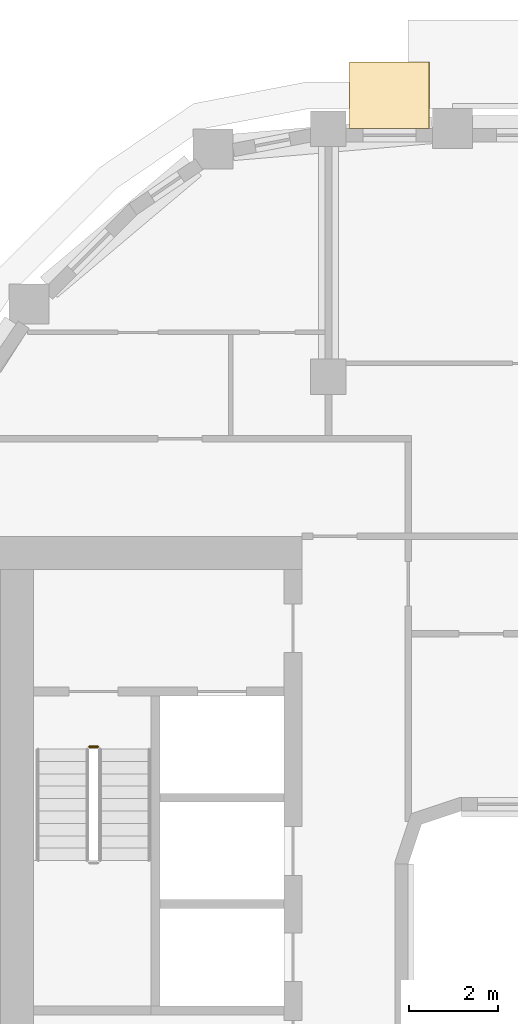
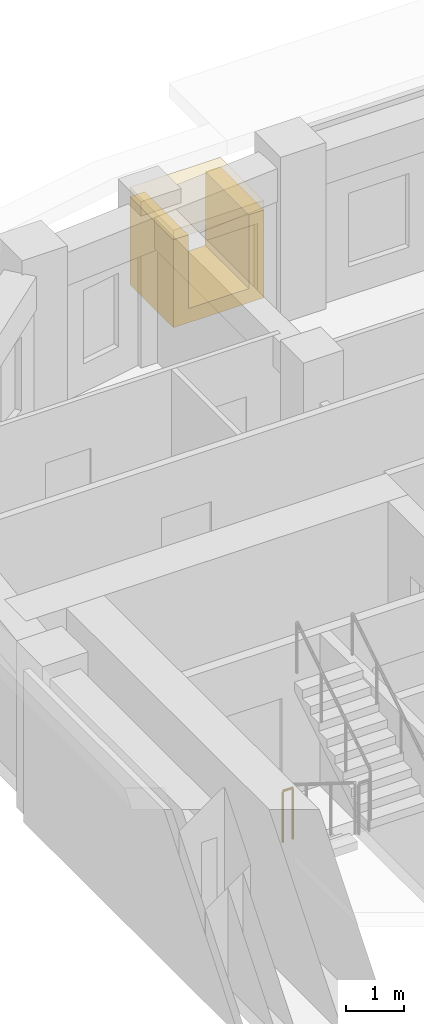
# One storey, part 19 of 21: 2 coverings, 1 railing.
"""IFC4 building model written with IfcOpenShell, lengths in metres."""

import ifcopenshell
import ifcopenshell.guid

model = None  # the IFC model being written
_history = None  # IfcOwnerHistory: only IFC2X3 demands one
_inside = {}  # id of a spatial element -> (the spatial element, [elements in it])
_under = {}  # id of a project, library or spatial element -> (it, [spatial elements below it])
_declared = {}  # id of a project -> (the project, [libraries it declares])
_typed = {}  # id of a type object -> (the type object, [elements of that type])
_made_of = {}  # id of a material, layer set ... -> (it, [elements and type objects made of it])


def new_model(schema):
    """Start an empty IFC model of exactly this schema.

    Asked for "IFC4X3", IfcOpenShell would pick the latest addendum, in which some entities
    have other attributes; the version numbers below select the first issue.
    IFC2X3 requires an IfcOwnerHistory on every rooted entity: one is made here for all.
    """
    global model, _history
    if schema == "IFC4X3":
        model = ifcopenshell.file(schema_version=(4, 3, 0, 0))
    else:
        model = ifcopenshell.file(schema=schema)
    _inside.clear()
    _under.clear()
    _declared.clear()
    _typed.clear()
    _made_of.clear()
    _history = None
    if model.schema == "IFC2X3":
        org = make("IfcOrganization", Name="unknown")
        user = make(
            "IfcPersonAndOrganization",
            ThePerson=make("IfcPerson", FamilyName="unknown"),
            TheOrganization=org,
        )
        app = make(
            "IfcApplication",
            ApplicationDeveloper=org,
            Version="unknown",
            ApplicationFullName="unknown",
            ApplicationIdentifier="unknown",
        )
        _history = make(
            "IfcOwnerHistory",
            OwningUser=user,
            OwningApplication=app,
            ChangeAction="ADDED",
            CreationDate=0,
        )
    return model


def make(cls, **values):
    """One entity of the class cls with the attributes given. An attribute that is None is left unset."""
    return model.create_entity(
        cls, **{name: value for name, value in values.items() if value is not None}
    )


def rooted(cls, **values):
    """An entity with a GlobalId (a new one), such as an element, a storey or a relation."""
    return make(cls, GlobalId=ifcopenshell.guid.new(), OwnerHistory=_history, **values)


def si_unit(unit_type, name, prefix=None):
    """IfcSIUnit, for example si_unit("LENGTHUNIT", "METRE", prefix="MILLI")."""
    return make("IfcSIUnit", UnitType=unit_type, Prefix=prefix, Name=name)


def assignment(units):
    """IfcUnitAssignment: the units of a project."""
    return None if units is None else make("IfcUnitAssignment", Units=units)


def point(xyz):
    """IfcCartesianPoint."""
    return None if xyz is None else make("IfcCartesianPoint", Coordinates=xyz)


def direction(xyz):
    """IfcDirection."""
    return None if xyz is None else make("IfcDirection", DirectionRatios=xyz)


def frame(location, z_axis=None, x_axis=None):
    """IfcAxis2Placement3D, a coordinate frame: its origin and axes. An axis left out is left unset."""
    return make(
        "IfcAxis2Placement3D",
        Location=point(location),
        Axis=direction(z_axis),
        RefDirection=direction(x_axis),
    )


def frame_2d(location, x_axis=None):
    """IfcAxis2Placement2D, a coordinate frame in the plane: its origin and x axis."""
    return make(
        "IfcAxis2Placement2D", Location=point(location), RefDirection=direction(x_axis)
    )


def origin():
    """The frame at (0, 0, 0) with its axes left unset."""
    return frame((0.0, 0.0, 0.0))


def origin_2d():
    """The frame at (0, 0) in the plane with its x axis left unset."""
    return frame_2d((0.0, 0.0))


def place(relative_to, where):
    """IfcLocalPlacement: puts the frame where relative to a parent placement (None: the world)."""
    return make(
        "IfcLocalPlacement", PlacementRelTo=relative_to, RelativePlacement=where
    )


def context(
    kind, dimensions, precision=None, world=None, true_north=None, identifier=None
):
    """IfcGeometricRepresentationContext, for example the 3D "Model" context."""
    return make(
        "IfcGeometricRepresentationContext",
        ContextIdentifier=identifier,
        ContextType=kind,
        CoordinateSpaceDimension=dimensions,
        Precision=precision,
        WorldCoordinateSystem=world,
        TrueNorth=true_north,
    )


def subcontext(parent, identifier, kind, view, scale=None):
    """IfcGeometricRepresentationSubContext, for example "Body" below "Model"."""
    return make(
        "IfcGeometricRepresentationSubContext",
        ContextIdentifier=identifier,
        ContextType=kind,
        ParentContext=parent,
        TargetScale=scale,
        TargetView=view,
    )


def project(units=None, contexts=None):
    """IfcProject with its units and contexts."""
    return rooted(
        "IfcProject",
        Name="project",
        RepresentationContexts=contexts,
        UnitsInContext=assignment(units),
    )


def spatial(cls, under=None, at=None, **own):
    """A site, building, storey or space (cls), placed at a placement, below another one or the project."""
    s = rooted(cls, ObjectPlacement=at, **own)
    if under is not None:
        _under.setdefault(under.id(), (under, []))[1].append(s)
    return s


def polyline(points):
    """IfcPolyline through the points."""
    return make("IfcPolyline", Points=[point(p) for p in points])


def profile(cls, at=None, kind="AREA", **sizes):
    """A parametric profile (cls). Its sizes go by their IFC names, for example OverallWidth=200.0."""
    return make(cls, ProfileType=kind, Position=at, **sizes)


def rectangle(**sizes):
    """IfcRectangleProfileDef."""
    return profile("IfcRectangleProfileDef", **sizes)


def circle(**sizes):
    """IfcCircleProfileDef."""
    return profile("IfcCircleProfileDef", **sizes)


def outline(outer, holes=None, kind="AREA"):
    """IfcArbitraryClosedProfileDef: a profile drawn as a closed curve; with holes, ...WithVoids."""
    if holes is None:
        return make("IfcArbitraryClosedProfileDef", ProfileType=kind, OuterCurve=outer)
    return make(
        "IfcArbitraryProfileDefWithVoids",
        ProfileType=kind,
        OuterCurve=outer,
        InnerCurves=holes,
    )


def extrude(swept, where, along, depth):
    """IfcExtrudedAreaSolid: the profile swept, set in the frame where, extruded along a direction by depth."""
    return make(
        "IfcExtrudedAreaSolid",
        SweptArea=swept,
        Position=where,
        ExtrudedDirection=direction(along),
        Depth=depth,
    )


def shape(context_of_items, identifier, shape_type, items):
    """IfcShapeRepresentation: the items that make up one representation, for example the "Body"."""
    return make(
        "IfcShapeRepresentation",
        ContextOfItems=context_of_items,
        RepresentationIdentifier=identifier,
        RepresentationType=shape_type,
        Items=items,
    )


def material(Name=None, Category=None):
    """IfcMaterial."""
    return make("IfcMaterial", Name=Name, Category=Category)


def layer(
    of_material, thickness, ventilated=None, Name=None, Category=None, Priority=None
):
    """IfcMaterialLayer: one layer of a wall or slab, of a material (None: an air gap)."""
    return make(
        "IfcMaterialLayer",
        Material=of_material,
        LayerThickness=thickness,
        IsVentilated=ventilated,
        Name=Name,
        Category=Category,
        Priority=Priority,
    )


def layer_set(layers, Name=None):
    """IfcMaterialLayerSet."""
    return make("IfcMaterialLayerSet", MaterialLayers=layers, LayerSetName=Name)


def made_of(thing, what):
    """Note that an element or type object is made of a material, layer set ...; save() writes the relation."""
    if what is not None:
        _made_of.setdefault(what.id(), (what, []))[1].append(thing)
    return thing


def type_object(cls, material=None, **own):
    """A type object (cls), such as IfcWallType, which elements share."""
    return made_of(rooted(cls, **own), material)


def element(
    cls,
    number,
    at=None,
    inside=None,
    cuts=None,
    type_object=None,
    material=None,
    context=None,
    identifier="Body",
    shape_type=None,
    held_by="IfcProductDefinitionShape",
    body=None,
    shapes=None,
    **own,
):
    """One element of the class cls, such as IfcWall. Its Tag is "e" and its number.

    at: its placement. inside: the storey or other place that contains it. cuts: it is an
    opening in that element (IfcRelVoidsElement). A single representation is given by context,
    identifier, shape_type and body (its items); several are given by shapes. held_by: the class
    of the entity that holds the representations. save() writes the other relations.
    """
    e = rooted(cls, Tag="e%d" % number, ObjectPlacement=at, **own)
    if body is not None:
        shapes = [shape(context, identifier, shape_type, body)]
    if shapes is not None:
        e.Representation = make(held_by, Representations=shapes)
    if inside is not None:
        _inside.setdefault(inside.id(), (inside, []))[1].append(e)
    if cuts is not None:
        rooted(
            "IfcRelVoidsElement", RelatingBuildingElement=cuts, RelatedOpeningElement=e
        )
    if type_object is not None:
        _typed.setdefault(type_object.id(), (type_object, []))[1].append(e)
    return made_of(e, material)


def aggregate(whole, parts):
    """IfcRelAggregates: a whole, such as a stair, and the parts it consists of."""
    return rooted("IfcRelAggregates", RelatingObject=whole, RelatedObjects=parts)


def save(model, path):
    """Write the relations noted so far, then the file.

    IfcRelAggregates (storeys below a building ...), IfcRelContainedInSpatialStructure (elements
    in a storey), IfcRelDefinesByType, IfcRelAssociatesMaterial and IfcRelDeclares: one each for
    every whole, place, type object, material and project.
    """
    for whole, parts in _under.values():
        aggregate(whole, parts)
    for where, things in _inside.values():
        rooted(
            "IfcRelContainedInSpatialStructure",
            RelatedElements=things,
            RelatingStructure=where,
        )
    for kind, things in _typed.values():
        rooted("IfcRelDefinesByType", RelatedObjects=things, RelatingType=kind)
    for what, things in _made_of.values():
        rooted("IfcRelAssociatesMaterial", RelatedObjects=things, RelatingMaterial=what)
    for by, libraries in _declared.values():
        rooted("IfcRelDeclares", RelatingContext=by, RelatedDefinitions=libraries)
    model.write(path)


model = new_model("IFC4")

# Units and contexts
model_context = context("Model", 3, precision=1e-05, world=origin(), true_north=direction((0.0, 1.0)))
body_context = subcontext(model_context, "Body", "Model", "MODEL_VIEW")
ifc_project = project(units=[si_unit("LENGTHUNIT", "METRE"), si_unit("AREAUNIT", "SQUARE_METRE"), si_unit("VOLUMEUNIT", "CUBIC_METRE"), si_unit("PLANEANGLEUNIT", "RADIAN"), si_unit("MASSUNIT", "GRAM", prefix="KILO")], contexts=[model_context])

# Site, building, storey
site_placement = place(None, origin())
site = spatial("IfcSite", under=ifc_project, at=site_placement, CompositionType="ELEMENT")
building_placement = place(site_placement, origin())
building = spatial("IfcBuilding", under=site, at=building_placement, Name="Kiln Ring Residences", CompositionType="ELEMENT")
storey_placement = place(building_placement, frame((0.0, 0.0, 195.89990234375)))
storey = spatial("IfcBuildingStorey", under=building, at=storey_placement, Name="L50", CompositionType="ELEMENT", Elevation=195.89990234375)

# Railing
ifc_material_1 = material(Name="Stainless steel", Category="steel")
railing_type = type_object("IfcRailingType", Name="CORE-STAIR-GUARD", PredefinedType="GUARDRAIL", material=ifc_material_1)
railing_placement = place(storey_placement, frame((-22.199951171875, 8.449951171875, 0.0)))
element("IfcRailing", 1, at=railing_placement, inside=storey, type_object=railing_type, Name="L50 W-STN stair guard 4", PredefinedType="GUARDRAIL", context=body_context, shape_type="SweptSolid", body=[
    extrude(circle(Radius=0.02392578125, at=origin_2d()), frame((0.0, 0.0, 1.076171875), z_axis=(1.0, 0.0, 0.0), x_axis=(0.0, 1.0, 0.0)), (0.0, 0.0, 1.0), 0.199951171875),
    extrude(circle(Radius=0.02099609375, at=origin_2d()), origin(), (0.0, 0.0, 1.0), 1.052001953125),
    extrude(circle(Radius=0.02099609375, at=origin_2d()), frame((0.199951171875, 0.0, 0.0)), (0.0, 0.0, 1.0), 1.052001953125),
])

# Coverings
ifc_material_2 = material(Name="Brick masonry, dark clay brick", Category="masonry")
ifc_layer_1 = layer(ifc_material_2, 0.300048828125)
ifc_layer_set_1 = layer_set([ifc_layer_1], Name="FRAME CHEEKS AND SILL 1500")
covering_type_1 = type_object("IfcCoveringType", Name="FRAME CHEEKS AND SILL 1500", PredefinedType="CLADDING", material=ifc_layer_set_1)
covering_1_placement = place(storey_placement, frame((-14.52490234375, 23.14990234375, 0.300048828125), z_axis=(0.0, 0.0, 1.0), x_axis=(-1.0, 0.0, 0.0)))
element("IfcCovering", 2, at=covering_1_placement, inside=storey, type_object=covering_type_1, Name="FRAME L50", PredefinedType="CLADDING", context=body_context, shape_type="SweptSolid", body=[
    extrude(outline(polyline([(0.0, 0.0), (1.800048828125, 0.0), (1.800048828125, 1.85009765625), (1.5009765625, 1.85009765625), (1.5, 0.300048828125), (0.300048828125, 0.300048828125), (0.299072265625, 1.85009765625), (0.0, 1.85009765625), (0.0, 0.0)])), frame((0.0, 0.75, 0.0), z_axis=(0.0, -1.0, 0.0), x_axis=(1.0, 0.0, 0.0)), (0.0, 0.0, 1.0), 1.5),
])
ifc_material_3 = material(Name="Brick masonry, dark clay brick", Category="masonry")
ifc_layer_2 = layer(ifc_material_3, 0.199951171875)
ifc_layer_set_2 = layer_set([ifc_layer_2], Name="FRAME HEAD 1500")
covering_type_2 = type_object("IfcCoveringType", Name="FRAME HEAD 1500", PredefinedType="CLADDING", material=ifc_layer_set_2)
covering_2_placement = place(storey_placement, frame((-15.425048828125, 23.14990234375, 2.14990234375), z_axis=(0.0, 0.0, 1.0), x_axis=(-1.0, 0.0, 0.0)))
element("IfcCovering", 3, at=covering_2_placement, inside=storey, type_object=covering_type_2, Name="FRAME HEAD L50", PredefinedType="CLADDING", context=body_context, shape_type="SweptSolid", body=[
    extrude(rectangle(XDim=1.800048828125, YDim=1.5, at=origin_2d()), origin(), (0.0, 0.0, 1.0), 0.199951171875),
])

save(model, "model.ifc")
